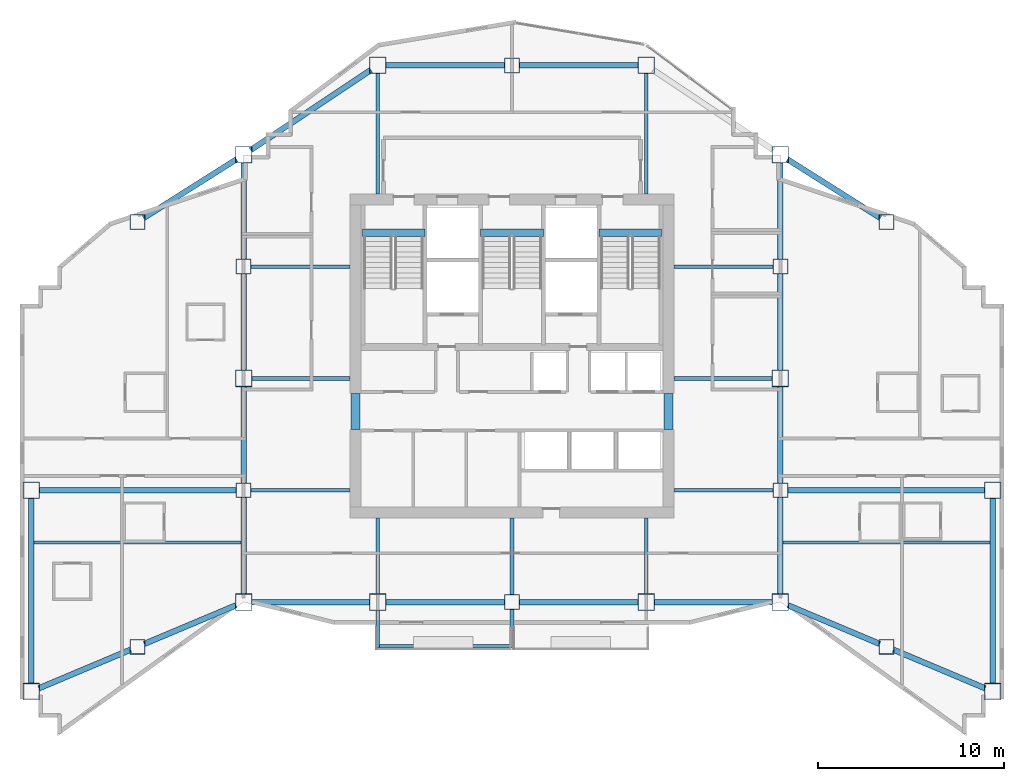
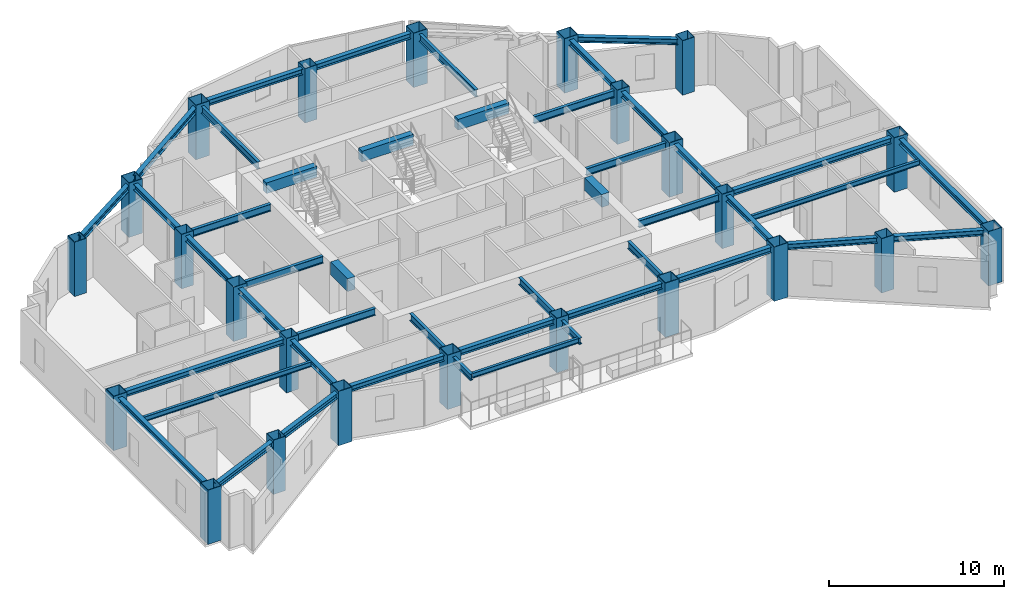
# One storey, part 1 of 10: 46 beams, 24 columns.
"""IFC4 building model written with IfcOpenShell, lengths in metres."""

from ifc_helpers import new_model, si_unit, direction, frame, origin, origin_2d, place, context, subcontext, project, spatial, rectangle, hollow_rectangle, i_section, extrude, material, material_profile, profile_set, type_object, element, save


model = new_model("IFC4")

# Units and contexts
model_context = context("Model", 3, precision=1e-05, world=origin(), true_north=direction((0.0, 1.0)))
body_context = subcontext(model_context, "Body", "Model", "MODEL_VIEW")
ifc_project = project(units=[si_unit("LENGTHUNIT", "METRE"), si_unit("AREAUNIT", "SQUARE_METRE"), si_unit("VOLUMEUNIT", "CUBIC_METRE"), si_unit("PLANEANGLEUNIT", "RADIAN"), si_unit("MASSUNIT", "GRAM", prefix="KILO")], contexts=[model_context])

# Site, building, storey
site_placement = place(None, origin())
site = spatial("IfcSite", under=ifc_project, at=site_placement, CompositionType="ELEMENT")
building_placement = place(site_placement, origin())
building = spatial("IfcBuilding", under=site, at=building_placement, Name="Haolan Belvedere Tower", CompositionType="ELEMENT")
storey_placement = place(building_placement, frame((0.0, 0.0, 180.39990234375)))
storey = spatial("IfcBuildingStorey", under=building, at=storey_placement, Name="L45", CompositionType="ELEMENT", Elevation=180.39990234375)

# Columns
ifc_material_1 = material(Name="Steel Q390GJC", Category="steel")
ifc_material_profile_1 = material_profile(ifc_material_1, hollow_rectangle(XDim=0.800048828125, YDim=0.800048828125, WallThickness=0.030029296875, at=origin_2d()), Name="Steel Q390GJC")
ifc_profile_set_1 = profile_set([ifc_material_profile_1], Name="Steel Q390GJC")
column_type_1 = type_object("IfcColumnType", Name="COL-BOX800x800x30", PredefinedType="COLUMN", material=ifc_profile_set_1)
for number, where, z_axis, x_axis, name in (
    (1, (24.0, 27.60009765625, 0.0), (0.0, 0.0, 1.0), (1.0, 0.0, 0.0), "L45 column TC-T3-W1 (BOX800x800x30)"),
    (2, (24.0, 39.60009765625, 0.0), (0.0, 0.0, 1.0), (1.0, 0.0, 0.0), "L45 column TC-T3-W2 (BOX800x800x30)"),
    (3, (52.800048828125, 27.60009765625, 0.0), (0.0, 0.0, 1.0), (1.0, 0.0, 0.0), "L45 column TC-T3-E1 (BOX800x800x30)"),
    (4, (52.800048828125, 39.60009765625, 0.0), (0.0, 0.0, 1.0), (1.0, 0.0, 0.0), "L45 column TC-T3-E2 (BOX800x800x30)"),
    (5, (38.39990234375, 21.60009765625, 0.0), (0.0, 0.0, 1.0), (1.0, 0.0, 0.0), "L45 column TC-T3-SM (BOX800x800x30)"),
    (6, (38.39990234375, 50.39990234375, 0.0), (0.0, 0.0, 1.0), (1.0, 0.0, 0.0), "L45 column TC-T3-NM (BOX800x800x30)"),
    (7, (18.300048828125, 19.199951171875, 0.0), (0.0, 0.0, 1.0), (1.0, 0.0, 0.0), "L45 column TC-T2-S1 (BOX800x800x30)"),
    (8, (18.300048828125, 42.0, 0.0), (0.0, 0.0, 1.0), (1.0, 0.0, 0.0), "L45 column TC-T2-N1 (BOX800x800x30)"),
    (9, (58.5, 19.199951171875, 0.0), (0.0, 0.0, 1.0), (1.0, 0.0, 0.0), "L45 column TC-T4-S1 (BOX800x800x30)"),
    (10, (58.5, 42.0, 0.0), (0.0, 0.0, 1.0), (1.0, 0.0, 0.0), "L45 column TC-T4-N1 (BOX800x800x30)"),
):
    element("IfcColumn", number, at=place(storey_placement, frame(where, z_axis=z_axis, x_axis=x_axis)), inside=storey, type_object=column_type_1, Name=name, PredefinedType="COLUMN", context=body_context, shape_type="SweptSolid", body=[
        extrude(hollow_rectangle(XDim=0.800048828125, YDim=0.800048828125, WallThickness=0.030029296875, at=origin_2d()), origin(), (0.0, 0.0, 1.0), 3.800048828125),
    ])
ifc_material_profile_2 = material_profile(ifc_material_1, hollow_rectangle(XDim=0.89990234375, YDim=0.89990234375, WallThickness=0.033935546875, at=origin_2d()), Name="Steel Q390GJC")
ifc_profile_set_2 = profile_set([ifc_material_profile_2], Name="Steel Q390GJC")
column_type_2 = type_object("IfcColumnType", Name="COL-BOX900x900x34", PredefinedType="COLUMN", material=ifc_profile_set_2)
for number, where, z_axis, x_axis, name in (
    (11, (24.0, 21.60009765625, 0.0), (0.0, 0.0, 1.0), (1.0, 0.0, 0.0), "L45 column MC-T3-SW (BOX900x900x34)"),
    (12, (24.0, 33.60009765625, 0.0), (0.0, 0.0, 1.0), (1.0, 0.0, 0.0), "L45 column MC-T3-MW (BOX900x900x34)"),
    (13, (24.0, 45.60009765625, 0.0), (0.0, 0.0, 1.0), (1.0, 0.0, 0.0), "L45 column MC-T3-NW (BOX900x900x34)"),
    (14, (52.800048828125, 21.60009765625, 0.0), (0.0, 0.0, 1.0), (1.0, 0.0, 0.0), "L45 column MC-T3-SE (BOX900x900x34)"),
    (15, (52.800048828125, 33.60009765625, 0.0), (0.0, 0.0, 1.0), (1.0, 0.0, 0.0), "L45 column MC-T3-ME (BOX900x900x34)"),
    (16, (52.800048828125, 45.60009765625, 0.0), (0.0, 0.0, 1.0), (1.0, 0.0, 0.0), "L45 column MC-T3-NE (BOX900x900x34)"),
    (17, (31.199951171875, 21.60009765625, 0.0), (0.0, 0.0, 1.0), (1.0, 0.0, 0.0), "L45 column MC-T3-S1 (BOX900x900x34)"),
    (18, (45.60009765625, 21.60009765625, 0.0), (0.0, 0.0, 1.0), (1.0, 0.0, 0.0), "L45 column MC-T3-S2 (BOX900x900x34)"),
    (19, (31.199951171875, 50.39990234375, 0.0), (0.0, 0.0, 1.0), (1.0, 0.0, 0.0), "L45 column MC-T3-N1 (BOX900x900x34)"),
    (20, (45.60009765625, 50.39990234375, 0.0), (0.0, 0.0, 1.0), (1.0, 0.0, 0.0), "L45 column MC-T3-N2 (BOX900x900x34)"),
    (21, (12.60009765625, 16.800048828125, 0.0), (0.0, 0.0, 1.0), (1.0, 0.0, 0.0), "L45 column MC-T2-SW (BOX900x900x34)"),
    (22, (12.60009765625, 27.60009765625, 0.0), (0.0, 0.0, 1.0), (1.0, 0.0, 0.0), "L45 column MC-T2-MW (BOX900x900x34)"),
    (23, (64.199951171875, 16.800048828125, 0.0), (0.0, 0.0, 1.0), (1.0, 0.0, 0.0), "L45 column MC-T4-SE (BOX900x900x34)"),
    (24, (64.199951171875, 27.60009765625, 0.0), (0.0, 0.0, 1.0), (1.0, 0.0, 0.0), "L45 column MC-T4-ME (BOX900x900x34)"),
):
    element("IfcColumn", number, at=place(storey_placement, frame(where, z_axis=z_axis, x_axis=x_axis)), inside=storey, type_object=column_type_2, Name=name, PredefinedType="COLUMN", context=body_context, shape_type="SweptSolid", body=[
        extrude(hollow_rectangle(XDim=0.89990234375, YDim=0.89990234375, WallThickness=0.033935546875, at=origin_2d()), origin(), (0.0, 0.0, 1.0), 3.800048828125),
    ])

# Beams
ifc_material_2 = material(Name="Steel Q355B", Category="steel")
ifc_material_profile_3 = material_profile(ifc_material_2, i_section(OverallWidth=0.300048828125, OverallDepth=0.389892578125, WebThickness=0.010009765625, FlangeThickness=0.01611328125, FilletRadius=0.02197265625, at=origin_2d()), Name="Steel Q355B")
ifc_profile_set_3 = profile_set([ifc_material_profile_3], Name="Steel Q355B")
beam_type_1 = type_object("IfcBeamType", Name="BM-HM390x300x10x16", PredefinedType="SPANDREL", material=ifc_profile_set_3)
for number, where, z_axis, x_axis, name in (
    (25, (24.0, 22.050048828125, 3.425048828125), (0.0, 1.0, 0.0), (-1.0, 0.0, 0.0), "L45 spandrel girder MC-T3-SW-TC-T3-W1"),
    (26, (24.0, 28.0, 3.425048828125), (0.0, 1.0, 0.0), (-1.0, 0.0, 0.0), "L45 spandrel girder TC-T3-W1-MC-T3-MW"),
    (27, (24.0, 34.050048828125, 3.425048828125), (0.0, 1.0, 0.0), (-1.0, 0.0, 0.0), "L45 spandrel girder MC-T3-MW-TC-T3-W2"),
    (28, (24.0, 40.0, 3.425048828125), (0.0, 1.0, 0.0), (-1.0, 0.0, 0.0), "L45 spandrel girder TC-T3-W2-MC-T3-NW"),
    (29, (52.800048828125, 22.050048828125, 3.425048828125), (0.0, 1.0, 0.0), (-1.0, 0.0, 0.0), "L45 spandrel girder MC-T3-SE-TC-T3-E1"),
    (30, (52.800048828125, 28.0, 3.425048828125), (0.0, 1.0, 0.0), (-1.0, 0.0, 0.0), "L45 spandrel girder TC-T3-E1-MC-T3-ME"),
    (31, (52.800048828125, 34.050048828125, 3.425048828125), (0.0, 1.0, 0.0), (-1.0, 0.0, 0.0), "L45 spandrel girder MC-T3-ME-TC-T3-E2"),
    (32, (52.800048828125, 40.0, 3.425048828125), (0.0, 1.0, 0.0), (-1.0, 0.0, 0.0), "L45 spandrel girder TC-T3-E2-MC-T3-NE"),
):
    element("IfcBeam", number, at=place(storey_placement, frame(where, z_axis=z_axis, x_axis=x_axis)), inside=storey, type_object=beam_type_1, Name=name, PredefinedType="SPANDREL", context=body_context, shape_type="SweptSolid", body=[
        extrude(i_section(OverallWidth=0.300048828125, OverallDepth=0.389892578125, WebThickness=0.010009765625, FlangeThickness=0.01611328125, FilletRadius=0.02197265625, at=origin_2d()), origin(), (0.0, 0.0, 1.0), 5.14990234375),
    ])
beam_1_placement = place(storey_placement, frame((24.449951171875, 21.60009765625, 3.425048828125), z_axis=(1.0, 0.0, 0.0), x_axis=(0.0, 1.0, 0.0)))
element("IfcBeam", 33, at=beam_1_placement, inside=storey, type_object=beam_type_1, Name="L45 spandrel girder MC-T3-SW-MC-T3-S1", PredefinedType="SPANDREL", context=body_context, shape_type="SweptSolid", body=[
    extrude(i_section(OverallWidth=0.300048828125, OverallDepth=0.389892578125, WebThickness=0.010009765625, FlangeThickness=0.01611328125, FilletRadius=0.02197265625, at=origin_2d()), origin(), (0.0, 0.0, 1.0), 6.300048828125),
])
beam_2_placement = place(storey_placement, frame((31.64990234375, 21.60009765625, 3.425048828125), z_axis=(1.0, 0.0, 0.0), x_axis=(0.0, 1.0, 0.0)))
element("IfcBeam", 34, at=beam_2_placement, inside=storey, type_object=beam_type_1, Name="L45 spandrel girder MC-T3-S1-TC-T3-SM", PredefinedType="SPANDREL", context=body_context, shape_type="SweptSolid", body=[
    extrude(i_section(OverallWidth=0.300048828125, OverallDepth=0.389892578125, WebThickness=0.010009765625, FlangeThickness=0.01611328125, FilletRadius=0.02197265625, at=origin_2d()), origin(), (0.0, 0.0, 1.0), 6.35009765625),
])
beam_3_placement = place(storey_placement, frame((38.800048828125, 21.60009765625, 3.425048828125), z_axis=(1.0, 0.0, 0.0), x_axis=(0.0, 1.0, 0.0)))
element("IfcBeam", 35, at=beam_3_placement, inside=storey, type_object=beam_type_1, Name="L45 spandrel girder TC-T3-SM-MC-T3-S2", PredefinedType="SPANDREL", context=body_context, shape_type="SweptSolid", body=[
    extrude(i_section(OverallWidth=0.300048828125, OverallDepth=0.389892578125, WebThickness=0.010009765625, FlangeThickness=0.01611328125, FilletRadius=0.02197265625, at=origin_2d()), origin(), (0.0, 0.0, 1.0), 6.349853515625),
])
beam_4_placement = place(storey_placement, frame((46.050048828125, 21.60009765625, 3.425048828125), z_axis=(1.0, 0.0, 0.0), x_axis=(0.0, 1.0, 0.0)))
element("IfcBeam", 36, at=beam_4_placement, inside=storey, type_object=beam_type_1, Name="L45 spandrel girder MC-T3-S2-MC-T3-SE", PredefinedType="SPANDREL", context=body_context, shape_type="SweptSolid", body=[
    extrude(i_section(OverallWidth=0.300048828125, OverallDepth=0.389892578125, WebThickness=0.010009765625, FlangeThickness=0.01611328125, FilletRadius=0.02197265625, at=origin_2d()), origin(), (0.0, 0.0, 1.0), 6.300048828125),
])
beam_5_placement = place(storey_placement, frame((24.37451171875, 45.849609375, 3.425048828125), z_axis=(0.832050294338, 0.554700196225, 0.0), x_axis=(-0.554700196225, 0.832050294338, 0.0)))
element("IfcBeam", 37, at=beam_5_placement, inside=storey, type_object=beam_type_1, Name="L45 spandrel girder MC-T3-NW-MC-T3-N1", PredefinedType="SPANDREL", context=body_context, shape_type="SweptSolid", body=[
    extrude(i_section(OverallWidth=0.300048828125, OverallDepth=0.389892578125, WebThickness=0.010009765625, FlangeThickness=0.01611328125, FilletRadius=0.02197265625, at=origin_2d()), origin(), (0.0, 0.0, 1.0), 7.75341796875),
])
beam_6_placement = place(storey_placement, frame((31.64990234375, 50.39990234375, 3.425048828125), z_axis=(1.0, 0.0, 0.0), x_axis=(0.0, 1.0, 0.0)))
element("IfcBeam", 38, at=beam_6_placement, inside=storey, type_object=beam_type_1, Name="L45 spandrel girder MC-T3-N1-TC-T3-NM", PredefinedType="SPANDREL", context=body_context, shape_type="SweptSolid", body=[
    extrude(i_section(OverallWidth=0.300048828125, OverallDepth=0.389892578125, WebThickness=0.010009765625, FlangeThickness=0.01611328125, FilletRadius=0.02197265625, at=origin_2d()), origin(), (0.0, 0.0, 1.0), 6.35009765625),
])
beam_7_placement = place(storey_placement, frame((38.800048828125, 50.39990234375, 3.425048828125), z_axis=(1.0, 0.0, 0.0), x_axis=(0.0, 1.0, 0.0)))
element("IfcBeam", 39, at=beam_7_placement, inside=storey, type_object=beam_type_1, Name="L45 spandrel girder TC-T3-NM-MC-T3-N2", PredefinedType="SPANDREL", context=body_context, shape_type="SweptSolid", body=[
    extrude(i_section(OverallWidth=0.300048828125, OverallDepth=0.389892578125, WebThickness=0.010009765625, FlangeThickness=0.01611328125, FilletRadius=0.02197265625, at=origin_2d()), origin(), (0.0, 0.0, 1.0), 6.349853515625),
])
beam_8_placement = place(storey_placement, frame((12.60009765625, 17.25, 3.425048828125), z_axis=(0.0, 1.0, 0.0), x_axis=(-1.0, 0.0, 0.0)))
element("IfcBeam", 40, at=beam_8_placement, inside=storey, type_object=beam_type_1, Name="L45 spandrel girder MC-T2-SW-MC-T2-MW", PredefinedType="SPANDREL", context=body_context, shape_type="SweptSolid", body=[
    extrude(i_section(OverallWidth=0.300048828125, OverallDepth=0.389892578125, WebThickness=0.010009765625, FlangeThickness=0.01611328125, FilletRadius=0.02197265625, at=origin_2d()), origin(), (0.0, 0.0, 1.0), 9.89990234375),
])
beam_9_placement = place(storey_placement, frame((13.0146484375, 16.974609375, 3.425048828125), z_axis=(0.921644850741, 0.388034494733, 0.0), x_axis=(-0.388034494733, 0.921644850741, 0.0)))
element("IfcBeam", 41, at=beam_9_placement, inside=storey, type_object=beam_type_1, Name="L45 spandrel girder MC-T2-SW-TC-T2-S1", PredefinedType="SPANDREL", context=body_context, shape_type="SweptSolid", body=[
    extrude(i_section(OverallWidth=0.300048828125, OverallDepth=0.389892578125, WebThickness=0.010009765625, FlangeThickness=0.01611328125, FilletRadius=0.02197265625, at=origin_2d()), origin(), (0.0, 0.0, 1.0), 5.334716796875),
])
beam_10_placement = place(storey_placement, frame((18.668701171875, 19.355224609375, 3.425048828125), z_axis=(0.921637959557, 0.388050862006, 0.0), x_axis=(-0.388050862006, 0.921637959557, 0.0)))
element("IfcBeam", 42, at=beam_10_placement, inside=storey, type_object=beam_type_1, Name="L45 spandrel girder TC-T2-S1-MC-T3-SW", PredefinedType="SPANDREL", context=body_context, shape_type="SweptSolid", body=[
    extrude(i_section(OverallWidth=0.300048828125, OverallDepth=0.389892578125, WebThickness=0.010009765625, FlangeThickness=0.01611328125, FilletRadius=0.02197265625, at=origin_2d()), origin(), (0.0, 0.0, 1.0), 5.33447265625),
])
beam_11_placement = place(storey_placement, frame((18.63818359375, 42.213623046875, 3.425048828125), z_axis=(0.845502688092, 0.533971164417, 0.0), x_axis=(-0.533971164417, 0.845502688092, 0.0)))
element("IfcBeam", 43, at=beam_11_placement, inside=storey, type_object=beam_type_1, Name="L45 spandrel girder TC-T2-N1-MC-T3-NW", PredefinedType="SPANDREL", context=body_context, shape_type="SweptSolid", body=[
    extrude(i_section(OverallWidth=0.300048828125, OverallDepth=0.389892578125, WebThickness=0.010009765625, FlangeThickness=0.01611328125, FilletRadius=0.02197265625, at=origin_2d()), origin(), (0.0, 0.0, 1.0), 5.8916015625),
])
beam_12_placement = place(storey_placement, frame((13.050048828125, 27.60009765625, 3.425048828125), z_axis=(1.0, 0.0, 0.0), x_axis=(0.0, 1.0, 0.0)))
element("IfcBeam", 44, at=beam_12_placement, inside=storey, type_object=beam_type_1, Name="L45 spandrel girder MC-T2-MW-TC-T3-W1", PredefinedType="SPANDREL", context=body_context, shape_type="SweptSolid", body=[
    extrude(i_section(OverallWidth=0.300048828125, OverallDepth=0.389892578125, WebThickness=0.010009765625, FlangeThickness=0.01611328125, FilletRadius=0.02197265625, at=origin_2d()), origin(), (0.0, 0.0, 1.0), 10.550048828125),
])
beam_13_placement = place(storey_placement, frame((64.199951171875, 17.25, 3.425048828125), z_axis=(0.0, 1.0, 0.0), x_axis=(-1.0, 0.0, 0.0)))
element("IfcBeam", 45, at=beam_13_placement, inside=storey, type_object=beam_type_1, Name="L45 spandrel girder MC-T4-SE-MC-T4-ME", PredefinedType="SPANDREL", context=body_context, shape_type="SweptSolid", body=[
    extrude(i_section(OverallWidth=0.300048828125, OverallDepth=0.389892578125, WebThickness=0.010009765625, FlangeThickness=0.01611328125, FilletRadius=0.02197265625, at=origin_2d()), origin(), (0.0, 0.0, 1.0), 9.89990234375),
])
for number, where, z_axis, x_axis, name in (
    (46, (53.21484375, 21.42529296875, 3.425048828125), (0.921637959557, -0.388050862006, 0.0), (0.388050862006, 0.921637959557, 0.0), "L45 spandrel girder MC-T3-SE-TC-T4-S1"),
    (47, (58.86865234375, 19.044677734375, 3.425048828125), (0.921637959557, -0.388050862006, 0.0), (0.388050862006, 0.921637959557, 0.0), "L45 spandrel girder TC-T4-S1-MC-T4-SE"),
):
    element("IfcBeam", number, at=place(storey_placement, frame(where, z_axis=z_axis, x_axis=x_axis)), inside=storey, type_object=beam_type_1, Name=name, PredefinedType="SPANDREL", context=body_context, shape_type="SweptSolid", body=[
        extrude(i_section(OverallWidth=0.300048828125, OverallDepth=0.389892578125, WebThickness=0.010009765625, FlangeThickness=0.01611328125, FilletRadius=0.02197265625, at=origin_2d()), origin(), (0.0, 0.0, 1.0), 5.33447265625),
    ])
beam_14_placement = place(storey_placement, frame((53.180419921875, 45.359619140625, 3.425048828125), z_axis=(0.845502688092, -0.533971164417, 0.0), x_axis=(0.533971164417, 0.845502688092, 0.0)))
element("IfcBeam", 48, at=beam_14_placement, inside=storey, type_object=beam_type_1, Name="L45 spandrel girder MC-T3-NE-TC-T4-N1", PredefinedType="SPANDREL", context=body_context, shape_type="SweptSolid", body=[
    extrude(i_section(OverallWidth=0.300048828125, OverallDepth=0.389892578125, WebThickness=0.010009765625, FlangeThickness=0.01611328125, FilletRadius=0.02197265625, at=origin_2d()), origin(), (0.0, 0.0, 1.0), 5.8916015625),
])
beam_15_placement = place(storey_placement, frame((53.199951171875, 27.60009765625, 3.425048828125), z_axis=(1.0, 0.0, 0.0), x_axis=(0.0, 1.0, 0.0)))
element("IfcBeam", 49, at=beam_15_placement, inside=storey, type_object=beam_type_1, Name="L45 spandrel girder TC-T3-E1-MC-T4-ME", PredefinedType="SPANDREL", context=body_context, shape_type="SweptSolid", body=[
    extrude(i_section(OverallWidth=0.300048828125, OverallDepth=0.389892578125, WebThickness=0.010009765625, FlangeThickness=0.01611328125, FilletRadius=0.02197265625, at=origin_2d()), origin(), (0.0, 0.0, 1.0), 10.550048828125),
])
ifc_material_profile_4 = material_profile(ifc_material_2, i_section(OverallWidth=0.175048828125, OverallDepth=0.35009765625, WebThickness=0.007080078125, FlangeThickness=0.010986328125, FilletRadius=0.012939453125, at=origin_2d()), Name="Steel Q355B")
ifc_profile_set_4 = profile_set([ifc_material_profile_4], Name="Steel Q355B")
beam_type_2 = type_object("IfcBeamType", Name="BM-HN350x175x7x11", PredefinedType="JOIST", material=ifc_profile_set_4)
for number, where, z_axis, x_axis, name in (
    (50, (12.75, 24.800048828125, 3.445068359375), (1.0, 0.0, 0.0), (0.0, 1.0, 0.0), "L45 west wing floor joist 1"),
    (51, (52.949951171875, 24.800048828125, 3.445068359375), (1.0, 0.0, 0.0), (0.0, 1.0, 0.0), "L45 east wing floor joist 1"),
):
    element("IfcBeam", number, at=place(storey_placement, frame(where, z_axis=z_axis, x_axis=x_axis)), inside=storey, type_object=beam_type_2, Name=name, PredefinedType="JOIST", context=body_context, shape_type="SweptSolid", body=[
        extrude(i_section(OverallWidth=0.175048828125, OverallDepth=0.35009765625, WebThickness=0.007080078125, FlangeThickness=0.010986328125, FilletRadius=0.012939453125, at=origin_2d()), origin(), (0.0, 0.0, 1.0), 11.10009765625),
    ])
beam_16_placement = place(storey_placement, frame((31.300048828125, 19.239990234375, 3.39501953125), z_axis=(1.0, 0.0, 0.0), x_axis=(0.0, 1.0, 0.0)))
element("IfcBeam", 52, at=beam_16_placement, inside=storey, type_object=beam_type_2, Name="L46 tree-balcony front trimmer beam 1", PredefinedType="BEAM", context=body_context, shape_type="SweptSolid", body=[
    extrude(i_section(OverallWidth=0.175048828125, OverallDepth=0.35009765625, WebThickness=0.007080078125, FlangeThickness=0.010986328125, FilletRadius=0.012939453125, at=origin_2d()), origin(), (0.0, 0.0, 1.0), 7.0),
])
ifc_material_profile_5 = material_profile(ifc_material_2, i_section(OverallWidth=0.199951171875, OverallDepth=0.449951171875, WebThickness=0.009033203125, FlangeThickness=0.013916015625, FilletRadius=0.01611328125, at=origin_2d()), Name="Steel Q355B")
ifc_profile_set_5 = profile_set([ifc_material_profile_5], Name="Steel Q355B")
beam_type_3 = type_object("IfcBeamType", Name="BM-HN450x200x9x14", PredefinedType="BEAM", material=ifc_profile_set_5)
beam_17_placement = place(storey_placement, frame((31.199951171875, 21.14990234375, 3.34521484375), z_axis=(0.0, -1.0, 0.0), x_axis=(1.0, 0.0, 0.0)))
element("IfcBeam", 53, at=beam_17_placement, inside=storey, type_object=beam_type_3, Name="L46 tree-balcony column cantilever MC-T3-S1", PredefinedType="BEAM", context=body_context, shape_type="SweptSolid", body=[
    extrude(i_section(OverallWidth=0.199951171875, OverallDepth=0.449951171875, WebThickness=0.009033203125, FlangeThickness=0.013916015625, FilletRadius=0.01611328125, at=origin_2d()), origin(), (0.0, 0.0, 1.0), 2.010009765625),
])
beam_18_placement = place(storey_placement, frame((38.39990234375, 21.199951171875, 3.34521484375), z_axis=(0.0, -1.0, 0.0), x_axis=(1.0, 0.0, 0.0)))
element("IfcBeam", 54, at=beam_18_placement, inside=storey, type_object=beam_type_3, Name="L46 tree-balcony column cantilever TC-T3-SM", PredefinedType="BEAM", context=body_context, shape_type="SweptSolid", body=[
    extrude(i_section(OverallWidth=0.199951171875, OverallDepth=0.449951171875, WebThickness=0.009033203125, FlangeThickness=0.013916015625, FilletRadius=0.01611328125, at=origin_2d()), origin(), (0.0, 0.0, 1.0), 2.06005859375),
])
ifc_material_profile_6 = material_profile(ifc_material_2, i_section(OverallWidth=0.199951171875, OverallDepth=0.5, WebThickness=0.010009765625, FlangeThickness=0.01611328125, FilletRadius=0.02001953125, at=origin_2d()), Name="Steel Q355B")
ifc_profile_set_6 = profile_set([ifc_material_profile_6], Name="Steel Q355B")
beam_type_4 = type_object("IfcBeamType", Name="BM-HN500x200x10x16", PredefinedType="BEAM", material=ifc_profile_set_6)
beam_19_placement = place(storey_placement, frame((24.449951171875, 33.60009765625, 3.3701171875), z_axis=(1.0, 0.0, 0.0), x_axis=(0.0, 1.0, 0.0)))
element("IfcBeam", 55, at=beam_19_placement, inside=storey, type_object=beam_type_4, Name="L45 core tie beam from MC-T3-MW", PredefinedType="BEAM", context=body_context, shape_type="SweptSolid", body=[
    extrude(i_section(OverallWidth=0.199951171875, OverallDepth=0.5, WebThickness=0.010009765625, FlangeThickness=0.01611328125, FilletRadius=0.02001953125, at=origin_2d()), origin(), (0.0, 0.0, 1.0), 5.25),
])
for number, where, z_axis, x_axis, name in (
    (56, (24.39990234375, 27.60009765625, 3.3701171875), (1.0, 0.0, 0.0), (0.0, 1.0, 0.0), "L45 core tie beam from TC-T3-W1"),
    (57, (24.39990234375, 39.60009765625, 3.3701171875), (1.0, 0.0, 0.0), (0.0, 1.0, 0.0), "L45 core tie beam from TC-T3-W2"),
):
    element("IfcBeam", number, at=place(storey_placement, frame(where, z_axis=z_axis, x_axis=x_axis)), inside=storey, type_object=beam_type_4, Name=name, PredefinedType="BEAM", context=body_context, shape_type="SweptSolid", body=[
        extrude(i_section(OverallWidth=0.199951171875, OverallDepth=0.5, WebThickness=0.010009765625, FlangeThickness=0.01611328125, FilletRadius=0.02001953125, at=origin_2d()), origin(), (0.0, 0.0, 1.0), 5.300048828125),
    ])
beam_20_placement = place(storey_placement, frame((52.35009765625, 33.60009765625, 3.3701171875), z_axis=(-1.0, 0.0, 0.0), x_axis=(0.0, -1.0, 0.0)))
element("IfcBeam", 58, at=beam_20_placement, inside=storey, type_object=beam_type_4, Name="L45 core tie beam from MC-T3-ME", PredefinedType="BEAM", context=body_context, shape_type="SweptSolid", body=[
    extrude(i_section(OverallWidth=0.199951171875, OverallDepth=0.5, WebThickness=0.010009765625, FlangeThickness=0.01611328125, FilletRadius=0.02001953125, at=origin_2d()), origin(), (0.0, 0.0, 1.0), 5.25),
])
for number, where, z_axis, x_axis, name in (
    (59, (52.39990234375, 27.60009765625, 3.3701171875), (-1.0, 0.0, 0.0), (0.0, -1.0, 0.0), "L45 core tie beam from TC-T3-E1"),
    (60, (52.39990234375, 39.60009765625, 3.3701171875), (-1.0, 0.0, 0.0), (0.0, -1.0, 0.0), "L45 core tie beam from TC-T3-E2"),
):
    element("IfcBeam", number, at=place(storey_placement, frame(where, z_axis=z_axis, x_axis=x_axis)), inside=storey, type_object=beam_type_4, Name=name, PredefinedType="BEAM", context=body_context, shape_type="SweptSolid", body=[
        extrude(i_section(OverallWidth=0.199951171875, OverallDepth=0.5, WebThickness=0.010009765625, FlangeThickness=0.01611328125, FilletRadius=0.02001953125, at=origin_2d()), origin(), (0.0, 0.0, 1.0), 5.2998046875),
    ])
beam_21_placement = place(storey_placement, frame((31.199951171875, 22.050048828125, 3.3701171875), z_axis=(0.0, 1.0, 0.0), x_axis=(-1.0, 0.0, 0.0)))
element("IfcBeam", 61, at=beam_21_placement, inside=storey, type_object=beam_type_4, Name="L45 core tie beam from MC-T3-S1", PredefinedType="BEAM", context=body_context, shape_type="SweptSolid", body=[
    extrude(i_section(OverallWidth=0.199951171875, OverallDepth=0.5, WebThickness=0.010009765625, FlangeThickness=0.01611328125, FilletRadius=0.02001953125, at=origin_2d()), origin(), (0.0, 0.0, 1.0), 4.050048828125),
])
beam_22_placement = place(storey_placement, frame((38.39990234375, 22.0, 3.3701171875), z_axis=(0.0, 1.0, 0.0), x_axis=(-1.0, 0.0, 0.0)))
element("IfcBeam", 62, at=beam_22_placement, inside=storey, type_object=beam_type_4, Name="L45 core tie beam from TC-T3-SM", PredefinedType="BEAM", context=body_context, shape_type="SweptSolid", body=[
    extrude(i_section(OverallWidth=0.199951171875, OverallDepth=0.5, WebThickness=0.010009765625, FlangeThickness=0.01611328125, FilletRadius=0.02001953125, at=origin_2d()), origin(), (0.0, 0.0, 1.0), 4.10009765625),
])
beam_23_placement = place(storey_placement, frame((45.60009765625, 22.050048828125, 3.3701171875), z_axis=(0.0, 1.0, 0.0), x_axis=(-1.0, 0.0, 0.0)))
element("IfcBeam", 63, at=beam_23_placement, inside=storey, type_object=beam_type_4, Name="L45 core tie beam from MC-T3-S2", PredefinedType="BEAM", context=body_context, shape_type="SweptSolid", body=[
    extrude(i_section(OverallWidth=0.199951171875, OverallDepth=0.5, WebThickness=0.010009765625, FlangeThickness=0.01611328125, FilletRadius=0.02001953125, at=origin_2d()), origin(), (0.0, 0.0, 1.0), 4.050048828125),
])
for number, where, z_axis, x_axis, name in (
    (64, (31.199951171875, 49.949951171875, 3.3701171875), (0.0, -1.0, 0.0), (1.0, 0.0, 0.0), "L45 core tie beam from MC-T3-N1"),
    (65, (45.60009765625, 49.949951171875, 3.3701171875), (0.0, -1.0, 0.0), (1.0, 0.0, 0.0), "L45 core tie beam from MC-T3-N2"),
):
    element("IfcBeam", number, at=place(storey_placement, frame(where, z_axis=z_axis, x_axis=x_axis)), inside=storey, type_object=beam_type_4, Name=name, PredefinedType="BEAM", context=body_context, shape_type="SweptSolid", body=[
        extrude(i_section(OverallWidth=0.199951171875, OverallDepth=0.5, WebThickness=0.010009765625, FlangeThickness=0.01611328125, FilletRadius=0.02001953125, at=origin_2d()), origin(), (0.0, 0.0, 1.0), 6.449951171875),
    ])
ifc_material_3 = material(Name="Concrete C50/60", Category="concrete")
ifc_material_profile_7 = material_profile(ifc_material_3, rectangle(XDim=0.39990234375, YDim=0.75, at=origin_2d()), Name="Concrete C50/60")
ifc_profile_set_7 = profile_set([ifc_material_profile_7], Name="Concrete C50/60")
beam_type_5 = type_object("IfcBeamType", Name="BM-RC400x750", PredefinedType="T_BEAM", material=ifc_profile_set_7)
beam_24_placement = place(storey_placement, frame((30.3798828125, 41.429931640625, 3.425048828125), z_axis=(1.0, 0.0, 0.0), x_axis=(0.0, 1.0, 0.0)))
element("IfcBeam", 66, at=beam_24_placement, inside=storey, type_object=beam_type_5, Name="L46 stair ST1 RC header trimmer beam", PredefinedType="BEAM", context=body_context, shape_type="SweptSolid", body=[
    extrude(rectangle(XDim=0.39990234375, YDim=0.75, at=origin_2d()), origin(), (0.0, 0.0, 1.0), 3.360107421875),
])
beam_25_placement = place(storey_placement, frame((36.699951171875, 41.429931640625, 3.425048828125), z_axis=(1.0, 0.0, 0.0), x_axis=(0.0, 1.0, 0.0)))
element("IfcBeam", 67, at=beam_25_placement, inside=storey, type_object=beam_type_5, Name="L46 stair ST3 RC header trimmer beam", PredefinedType="BEAM", context=body_context, shape_type="SweptSolid", body=[
    extrude(rectangle(XDim=0.39990234375, YDim=0.75, at=origin_2d()), origin(), (0.0, 0.0, 1.0), 3.400146484375),
])
beam_26_placement = place(storey_placement, frame((43.06005859375, 41.429931640625, 3.425048828125), z_axis=(1.0, 0.0, 0.0), x_axis=(0.0, 1.0, 0.0)))
element("IfcBeam", 68, at=beam_26_placement, inside=storey, type_object=beam_type_5, Name="L46 stair ST2 RC header trimmer beam", PredefinedType="BEAM", context=body_context, shape_type="SweptSolid", body=[
    extrude(rectangle(XDim=0.39990234375, YDim=0.75, at=origin_2d()), origin(), (0.0, 0.0, 1.0), 3.35986328125),
])
ifc_material_4 = material(Name="Concrete C60/75", Category="concrete")
ifc_material_profile_8 = material_profile(ifc_material_4, rectangle(XDim=0.5, YDim=0.89990234375, at=origin_2d()), Name="Concrete C60/75")
ifc_profile_set_8 = profile_set([ifc_material_profile_8], Name="Concrete C60/75")
beam_type_6 = type_object("IfcBeamType", Name="BM-RC500x900", PredefinedType="LINTEL", material=ifc_profile_set_8)
for number, where, z_axis, x_axis, name in (
    (69, (30.0, 30.85009765625, 3.170166015625), (0.0, 1.0, 0.0), (-1.0, 0.0, 0.0), "L45 west core coupling beam CB-01"),
    (70, (46.800048828125, 30.85009765625, 3.170166015625), (0.0, 1.0, 0.0), (-1.0, 0.0, 0.0), "L45 east core coupling beam CB-01"),
):
    element("IfcBeam", number, at=place(storey_placement, frame(where, z_axis=z_axis, x_axis=x_axis)), inside=storey, type_object=beam_type_6, Name=name, PredefinedType="LINTEL", context=body_context, shape_type="SweptSolid", body=[
        extrude(rectangle(XDim=0.5, YDim=0.89990234375, at=origin_2d()), origin(), (0.0, 0.0, 1.0), 1.949951171875),
    ])

save(model, "model.ifc")
